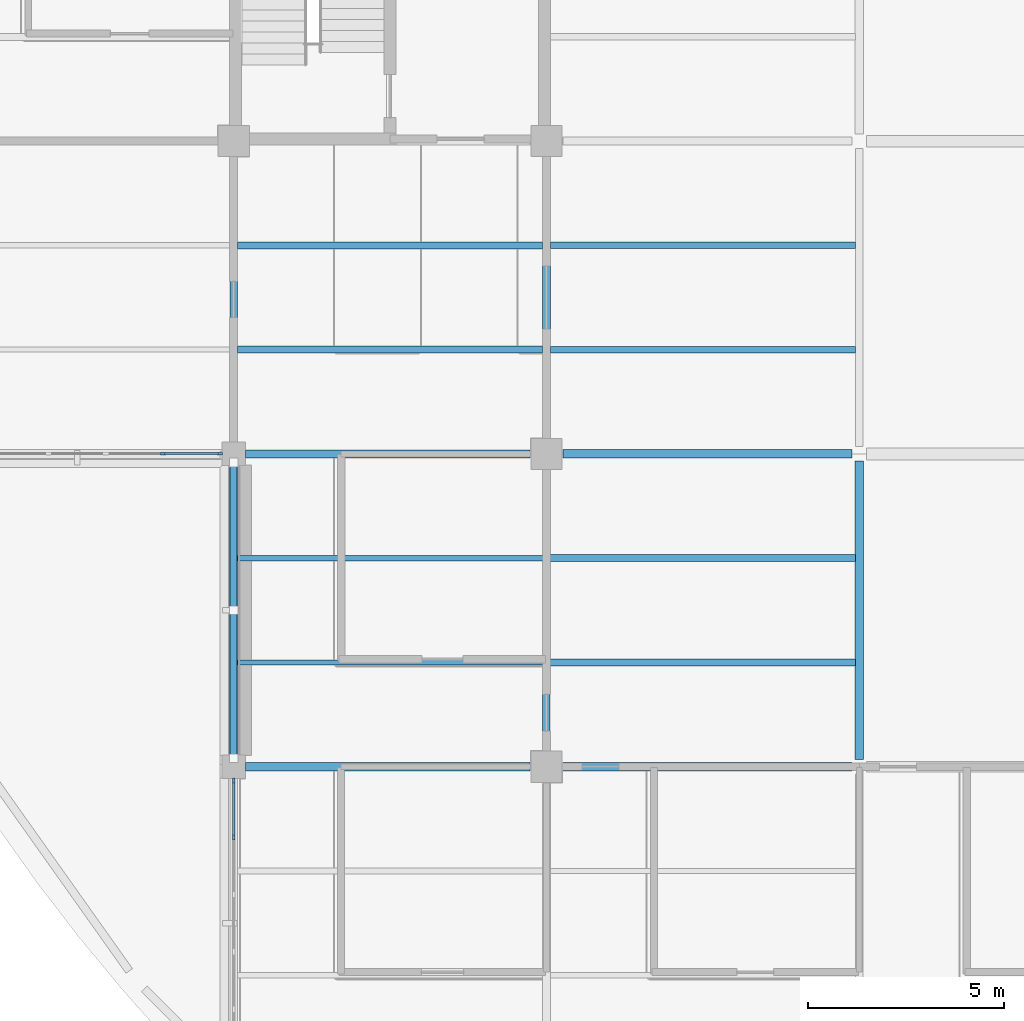
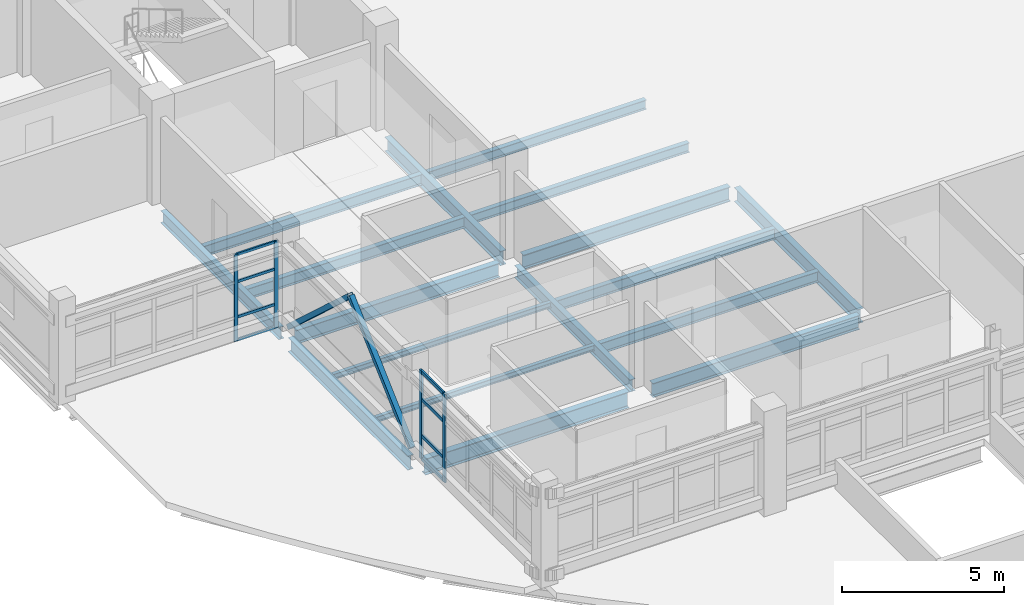
# One storey, part 26 of 126: 17 beams, 14 members, 2 elements without a shape of their own.
"""IFC4 building model written with IfcOpenShell, lengths in metres."""

import ifcopenshell
import ifcopenshell.guid

model = None  # the IFC model being written
_history = None  # IfcOwnerHistory: only IFC2X3 demands one
_inside = {}  # id of a spatial element -> (the spatial element, [elements in it])
_under = {}  # id of a project, library or spatial element -> (it, [spatial elements below it])
_declared = {}  # id of a project -> (the project, [libraries it declares])
_typed = {}  # id of a type object -> (the type object, [elements of that type])
_made_of = {}  # id of a material, layer set ... -> (it, [elements and type objects made of it])


def new_model(schema):
    """Start an empty IFC model of exactly this schema.

    Asked for "IFC4X3", IfcOpenShell would pick the latest addendum, in which some entities
    have other attributes; the version numbers below select the first issue.
    IFC2X3 requires an IfcOwnerHistory on every rooted entity: one is made here for all.
    """
    global model, _history
    if schema == "IFC4X3":
        model = ifcopenshell.file(schema_version=(4, 3, 0, 0))
    else:
        model = ifcopenshell.file(schema=schema)
    _inside.clear()
    _under.clear()
    _declared.clear()
    _typed.clear()
    _made_of.clear()
    _history = None
    if model.schema == "IFC2X3":
        org = make("IfcOrganization", Name="unknown")
        user = make(
            "IfcPersonAndOrganization",
            ThePerson=make("IfcPerson", FamilyName="unknown"),
            TheOrganization=org,
        )
        app = make(
            "IfcApplication",
            ApplicationDeveloper=org,
            Version="unknown",
            ApplicationFullName="unknown",
            ApplicationIdentifier="unknown",
        )
        _history = make(
            "IfcOwnerHistory",
            OwningUser=user,
            OwningApplication=app,
            ChangeAction="ADDED",
            CreationDate=0,
        )
    return model


def make(cls, **values):
    """One entity of the class cls with the attributes given. An attribute that is None is left unset."""
    return model.create_entity(
        cls, **{name: value for name, value in values.items() if value is not None}
    )


def rooted(cls, **values):
    """An entity with a GlobalId (a new one), such as an element, a storey or a relation."""
    return make(cls, GlobalId=ifcopenshell.guid.new(), OwnerHistory=_history, **values)


def si_unit(unit_type, name, prefix=None):
    """IfcSIUnit, for example si_unit("LENGTHUNIT", "METRE", prefix="MILLI")."""
    return make("IfcSIUnit", UnitType=unit_type, Prefix=prefix, Name=name)


def derived_unit(unit_type, elements):
    """IfcDerivedUnit: a product of units, each with its exponent."""
    return make(
        "IfcDerivedUnit",
        Elements=[
            make("IfcDerivedUnitElement", Unit=unit, Exponent=power)
            for unit, power in elements
        ],
        UnitType=unit_type,
    )


def assignment(units):
    """IfcUnitAssignment: the units of a project."""
    return None if units is None else make("IfcUnitAssignment", Units=units)


def point(xyz):
    """IfcCartesianPoint."""
    return None if xyz is None else make("IfcCartesianPoint", Coordinates=xyz)


def direction(xyz):
    """IfcDirection."""
    return None if xyz is None else make("IfcDirection", DirectionRatios=xyz)


def frame(location, z_axis=None, x_axis=None):
    """IfcAxis2Placement3D, a coordinate frame: its origin and axes. An axis left out is left unset."""
    return make(
        "IfcAxis2Placement3D",
        Location=point(location),
        Axis=direction(z_axis),
        RefDirection=direction(x_axis),
    )


def frame_2d(location, x_axis=None):
    """IfcAxis2Placement2D, a coordinate frame in the plane: its origin and x axis."""
    return make(
        "IfcAxis2Placement2D", Location=point(location), RefDirection=direction(x_axis)
    )


def origin():
    """The frame at (0, 0, 0) with its axes left unset."""
    return frame((0.0, 0.0, 0.0))


def origin_2d():
    """The frame at (0, 0) in the plane with its x axis left unset."""
    return frame_2d((0.0, 0.0))


def place(relative_to, where):
    """IfcLocalPlacement: puts the frame where relative to a parent placement (None: the world)."""
    return make(
        "IfcLocalPlacement", PlacementRelTo=relative_to, RelativePlacement=where
    )


def context(
    kind, dimensions, precision=None, world=None, true_north=None, identifier=None
):
    """IfcGeometricRepresentationContext, for example the 3D "Model" context."""
    return make(
        "IfcGeometricRepresentationContext",
        ContextIdentifier=identifier,
        ContextType=kind,
        CoordinateSpaceDimension=dimensions,
        Precision=precision,
        WorldCoordinateSystem=world,
        TrueNorth=true_north,
    )


def subcontext(parent, identifier, kind, view, scale=None):
    """IfcGeometricRepresentationSubContext, for example "Body" below "Model"."""
    return make(
        "IfcGeometricRepresentationSubContext",
        ContextIdentifier=identifier,
        ContextType=kind,
        ParentContext=parent,
        TargetScale=scale,
        TargetView=view,
    )


def project(units=None, contexts=None):
    """IfcProject with its units and contexts."""
    return rooted(
        "IfcProject",
        Name="project",
        RepresentationContexts=contexts,
        UnitsInContext=assignment(units),
    )


def spatial(cls, under=None, at=None, **own):
    """A site, building, storey or space (cls), placed at a placement, below another one or the project."""
    s = rooted(cls, ObjectPlacement=at, **own)
    if under is not None:
        _under.setdefault(under.id(), (under, []))[1].append(s)
    return s


def profile(cls, at=None, kind="AREA", **sizes):
    """A parametric profile (cls). Its sizes go by their IFC names, for example OverallWidth=200.0."""
    return make(cls, ProfileType=kind, Position=at, **sizes)


def rectangle(**sizes):
    """IfcRectangleProfileDef."""
    return profile("IfcRectangleProfileDef", **sizes)


def hollow_rectangle(**sizes):
    """IfcRectangleHollowProfileDef."""
    return profile("IfcRectangleHollowProfileDef", **sizes)


def i_section(**sizes):
    """IfcIShapeProfileDef."""
    return profile("IfcIShapeProfileDef", **sizes)


def extrude(swept, where, along, depth):
    """IfcExtrudedAreaSolid: the profile swept, set in the frame where, extruded along a direction by depth."""
    return make(
        "IfcExtrudedAreaSolid",
        SweptArea=swept,
        Position=where,
        ExtrudedDirection=direction(along),
        Depth=depth,
    )


def shape(context_of_items, identifier, shape_type, items):
    """IfcShapeRepresentation: the items that make up one representation, for example the "Body"."""
    return make(
        "IfcShapeRepresentation",
        ContextOfItems=context_of_items,
        RepresentationIdentifier=identifier,
        RepresentationType=shape_type,
        Items=items,
    )


def material(Name=None, Category=None):
    """IfcMaterial."""
    return make("IfcMaterial", Name=Name, Category=Category)


def layer(
    of_material, thickness, ventilated=None, Name=None, Category=None, Priority=None
):
    """IfcMaterialLayer: one layer of a wall or slab, of a material (None: an air gap)."""
    return make(
        "IfcMaterialLayer",
        Material=of_material,
        LayerThickness=thickness,
        IsVentilated=ventilated,
        Name=Name,
        Category=Category,
        Priority=Priority,
    )


def layer_set(layers, Name=None):
    """IfcMaterialLayerSet."""
    return make("IfcMaterialLayerSet", MaterialLayers=layers, LayerSetName=Name)


def material_profile(
    of_material, cross_section, Name=None, Category=None, Priority=None
):
    """IfcMaterialProfile: a cross section and its material."""
    return make(
        "IfcMaterialProfile",
        Name=Name,
        Material=of_material,
        Profile=cross_section,
        Priority=Priority,
        Category=Category,
    )


def profile_set(profiles, Name=None, composite=None):
    """IfcMaterialProfileSet."""
    return make(
        "IfcMaterialProfileSet",
        Name=Name,
        MaterialProfiles=profiles,
        CompositeProfile=composite,
    )


def made_of(thing, what):
    """Note that an element or type object is made of a material, layer set ...; save() writes the relation."""
    if what is not None:
        _made_of.setdefault(what.id(), (what, []))[1].append(thing)
    return thing


def type_object(cls, material=None, **own):
    """A type object (cls), such as IfcWallType, which elements share."""
    return made_of(rooted(cls, **own), material)


def element(
    cls,
    number,
    at=None,
    inside=None,
    cuts=None,
    type_object=None,
    material=None,
    context=None,
    identifier="Body",
    shape_type=None,
    held_by="IfcProductDefinitionShape",
    body=None,
    shapes=None,
    **own,
):
    """One element of the class cls, such as IfcWall. Its Tag is "e" and its number.

    at: its placement. inside: the storey or other place that contains it. cuts: it is an
    opening in that element (IfcRelVoidsElement). A single representation is given by context,
    identifier, shape_type and body (its items); several are given by shapes. held_by: the class
    of the entity that holds the representations. save() writes the other relations.
    """
    e = rooted(cls, Tag="e%d" % number, ObjectPlacement=at, **own)
    if body is not None:
        shapes = [shape(context, identifier, shape_type, body)]
    if shapes is not None:
        e.Representation = make(held_by, Representations=shapes)
    if inside is not None:
        _inside.setdefault(inside.id(), (inside, []))[1].append(e)
    if cuts is not None:
        rooted(
            "IfcRelVoidsElement", RelatingBuildingElement=cuts, RelatedOpeningElement=e
        )
    if type_object is not None:
        _typed.setdefault(type_object.id(), (type_object, []))[1].append(e)
    return made_of(e, material)


def aggregate(whole, parts):
    """IfcRelAggregates: a whole, such as a stair, and the parts it consists of."""
    return rooted("IfcRelAggregates", RelatingObject=whole, RelatedObjects=parts)


def save(model, path):
    """Write the relations noted so far, then the file.

    IfcRelAggregates (storeys below a building ...), IfcRelContainedInSpatialStructure (elements
    in a storey), IfcRelDefinesByType, IfcRelAssociatesMaterial and IfcRelDeclares: one each for
    every whole, place, type object, material and project.
    """
    for whole, parts in _under.values():
        aggregate(whole, parts)
    for where, things in _inside.values():
        rooted(
            "IfcRelContainedInSpatialStructure",
            RelatedElements=things,
            RelatingStructure=where,
        )
    for kind, things in _typed.values():
        rooted("IfcRelDefinesByType", RelatedObjects=things, RelatingType=kind)
    for what, things in _made_of.values():
        rooted("IfcRelAssociatesMaterial", RelatedObjects=things, RelatingMaterial=what)
    for by, libraries in _declared.values():
        rooted("IfcRelDeclares", RelatingContext=by, RelatedDefinitions=libraries)
    model.write(path)


model = new_model("IFC4")

# Units and contexts
model_context = context("Model", 3, precision=1e-05, world=origin(), true_north=direction((0.0, 1.0)))
body_context = subcontext(model_context, "Body", "Model", "MODEL_VIEW")
ifc_project = project(units=[si_unit("LENGTHUNIT", "METRE"), si_unit("AREAUNIT", "SQUARE_METRE"), si_unit("VOLUMEUNIT", "CUBIC_METRE"), si_unit("PLANEANGLEUNIT", "RADIAN"), si_unit("MASSUNIT", "GRAM", prefix="KILO"), derived_unit("THERMALTRANSMITTANCEUNIT", [(si_unit("MASSUNIT", "GRAM", prefix="KILO"), 1), (si_unit("TIMEUNIT", "SECOND"), -3), (si_unit("THERMODYNAMICTEMPERATUREUNIT", "KELVIN"), -1)])], contexts=[model_context])

# Site, building, storey
site_placement = place(None, origin())
site = spatial("IfcSite", under=ifc_project, at=site_placement, CompositionType="ELEMENT")
building_placement = place(site_placement, origin())
building = spatial("IfcBuilding", under=site, at=building_placement, Name="Veyamyaing Civic Hall", CompositionType="ELEMENT")
storey_placement = place(building_placement, frame((0.0, 0.0, 9.89990234375)))
storey = spatial("IfcBuildingStorey", under=building, at=storey_placement, Name="L02", CompositionType="ELEMENT", Elevation=9.89990234375)

# Beams
ifc_material_1 = material(Name="Steel ASTM A992", Category="steel")
ifc_material_profile_1 = material_profile(ifc_material_1, i_section(OverallWidth=0.22802734375, OverallDepth=0.60791015625, WebThickness=0.01123046875, FlangeThickness=0.017333984375, FilletRadius=0.012939453125, at=origin_2d()), Name="W610X113")
ifc_profile_set_1 = profile_set([ifc_material_profile_1], Name="Steel ASTM A992")
beam_type_1 = type_object("IfcBeamType", Name="B-06", PredefinedType="BEAM", material=ifc_profile_set_1)
beam_1_placement = place(storey_placement, frame((64.300048828125, 32.0, -0.5888671875), z_axis=(1.0, 0.0, 0.0), x_axis=(0.0, 1.0, 0.0)))
element("IfcBeam", 1, at=beam_1_placement, inside=storey, type_object=beam_type_1, Name="Girder B-06 L02 Grid E 9-10", PredefinedType="BEAM", context=body_context, shape_type="SweptSolid", body=[
    extrude(i_section(OverallWidth=0.22802734375, OverallDepth=0.60791015625, WebThickness=0.01123046875, FlangeThickness=0.017333984375, FilletRadius=0.012939453125, at=origin_2d()), origin(), (0.0, 0.0, 1.0), 7.27490234375),
])
ifc_material_profile_2 = material_profile(ifc_material_1, i_section(OverallWidth=0.208984375, OverallDepth=0.532958984375, WebThickness=0.01025390625, FlangeThickness=0.015625, FilletRadius=0.011962890625, at=origin_2d()), Name="W530X92")
ifc_profile_set_2 = profile_set([ifc_material_profile_2], Name="Steel ASTM A992")
beam_type_2 = type_object("IfcBeamType", Name="B-07", PredefinedType="BEAM", material=ifc_profile_set_2)
beam_2_placement = place(storey_placement, frame((72.425048828125, 32.0, -0.551513671875), z_axis=(1.0, 0.0, 0.0), x_axis=(0.0, 1.0, 0.0)))
element("IfcBeam", 2, at=beam_2_placement, inside=storey, type_object=beam_type_2, Name="Girder B-07 L02 Grid E 10-11", PredefinedType="BEAM", context=body_context, shape_type="SweptSolid", body=[
    extrude(i_section(OverallWidth=0.208984375, OverallDepth=0.532958984375, WebThickness=0.01025390625, FlangeThickness=0.015625, FilletRadius=0.011962890625, at=origin_2d()), origin(), (0.0, 0.0, 1.0), 7.387939453125),
])
beam_3_placement = place(storey_placement, frame((64.300048828125, 40.0, -0.551513671875), z_axis=(1.0, 0.0, 0.0), x_axis=(0.0, 1.0, 0.0)))
element("IfcBeam", 3, at=beam_3_placement, inside=storey, type_object=beam_type_2, Name="Girder B-07 L02 Grid F 9-10", PredefinedType="BEAM", context=body_context, shape_type="SweptSolid", body=[
    extrude(i_section(OverallWidth=0.208984375, OverallDepth=0.532958984375, WebThickness=0.01025390625, FlangeThickness=0.015625, FilletRadius=0.011962890625, at=origin_2d()), origin(), (0.0, 0.0, 1.0), 7.27490234375),
])
beam_4_placement = place(storey_placement, frame((64.0, 32.300048828125, -0.551513671875), z_axis=(0.0, 1.0, 0.0), x_axis=(-1.0, 0.0, 0.0)))
element("IfcBeam", 4, at=beam_4_placement, inside=storey, type_object=beam_type_2, Name="Girder B-07 L02 Grid 9 E-F", PredefinedType="BEAM", context=body_context, shape_type="SweptSolid", body=[
    extrude(i_section(OverallWidth=0.208984375, OverallDepth=0.532958984375, WebThickness=0.01025390625, FlangeThickness=0.015625, FilletRadius=0.011962890625, at=origin_2d()), origin(), (0.0, 0.0, 1.0), 7.39990234375),
])
ifc_material_profile_3 = material_profile(ifc_material_1, i_section(OverallWidth=0.19189453125, OverallDepth=0.462890625, WebThickness=0.010498046875, FlangeThickness=0.017578125, FilletRadius=0.010009765625, at=origin_2d()), Name="W460X89")
ifc_profile_set_3 = profile_set([ifc_material_profile_3], Name="Steel ASTM A992")
beam_type_3 = type_object("IfcBeamType", Name="B-08", PredefinedType="BEAM", material=ifc_profile_set_3)
beam_5_placement = place(storey_placement, frame((64.0, 40.300048828125, -0.516357421875), z_axis=(0.0, 1.0, 0.0), x_axis=(-1.0, 0.0, 0.0)))
element("IfcBeam", 5, at=beam_5_placement, inside=storey, type_object=beam_type_3, Name="Girder B-08 L02 Grid 9 F-G", PredefinedType="BEAM", context=body_context, shape_type="SweptSolid", body=[
    extrude(i_section(OverallWidth=0.19189453125, OverallDepth=0.462890625, WebThickness=0.010498046875, FlangeThickness=0.017578125, FilletRadius=0.010009765625, at=origin_2d()), origin(), (0.0, 0.0, 1.0), 7.300048828125),
])
beam_6_placement = place(storey_placement, frame((72.0, 32.425048828125, -0.516357421875), z_axis=(0.0, 1.0, 0.0), x_axis=(-1.0, 0.0, 0.0)))
element("IfcBeam", 6, at=beam_6_placement, inside=storey, type_object=beam_type_3, Name="Girder B-08 L02 Grid 10 E-F", PredefinedType="BEAM", context=body_context, shape_type="SweptSolid", body=[
    extrude(i_section(OverallWidth=0.19189453125, OverallDepth=0.462890625, WebThickness=0.010498046875, FlangeThickness=0.017578125, FilletRadius=0.010009765625, at=origin_2d()), origin(), (0.0, 0.0, 1.0), 7.14990234375),
])
ifc_material_profile_4 = material_profile(ifc_material_1, i_section(OverallWidth=0.214111328125, OverallDepth=0.549072265625, WebThickness=0.0146484375, FlangeThickness=0.023681640625, FilletRadius=0.011962890625, at=origin_2d()), Name="W530X138")
ifc_profile_set_4 = profile_set([ifc_material_profile_4], Name="Steel ASTM A992")
beam_type_4 = type_object("IfcBeamType", Name="B-16", PredefinedType="BEAM", material=ifc_profile_set_4)
beam_7_placement = place(storey_placement, frame((72.425048828125, 40.0, -0.559326171875), z_axis=(1.0, 0.0, 0.0), x_axis=(0.0, 1.0, 0.0)))
element("IfcBeam", 7, at=beam_7_placement, inside=storey, type_object=beam_type_4, Name="Girder B-16 L02 Grid F 10-11", PredefinedType="BEAM", context=body_context, shape_type="SweptSolid", body=[
    extrude(i_section(OverallWidth=0.214111328125, OverallDepth=0.549072265625, WebThickness=0.0146484375, FlangeThickness=0.023681640625, FilletRadius=0.011962890625, at=origin_2d()), origin(), (0.0, 0.0, 1.0), 7.387939453125),
])
ifc_material_profile_5 = material_profile(ifc_material_1, i_section(OverallWidth=0.2109375, OverallDepth=0.5390625, WebThickness=0.01171875, FlangeThickness=0.018798828125, FilletRadius=0.011962890625, at=origin_2d()), Name="W530X109")
ifc_profile_set_5 = profile_set([ifc_material_profile_5], Name="Steel ASTM A992")
beam_type_5 = type_object("IfcBeamType", Name="B-17", PredefinedType="BEAM", material=ifc_profile_set_5)
beam_8_placement = place(storey_placement, frame((72.0, 40.425048828125, -0.554443359375), z_axis=(0.0, 1.0, 0.0), x_axis=(-1.0, 0.0, 0.0)))
element("IfcBeam", 8, at=beam_8_placement, inside=storey, type_object=beam_type_5, Name="Girder B-17 L02 Grid 10 F-G", PredefinedType="BEAM", context=body_context, shape_type="SweptSolid", body=[
    extrude(i_section(OverallWidth=0.2109375, OverallDepth=0.5390625, WebThickness=0.01171875, FlangeThickness=0.018798828125, FilletRadius=0.011962890625, at=origin_2d()), origin(), (0.0, 0.0, 1.0), 7.14990234375),
])
beam_9_placement = place(storey_placement, frame((80.0, 32.18603515625, -0.554443359375), z_axis=(0.0, 1.0, 0.0), x_axis=(-1.0, 0.0, 0.0)))
element("IfcBeam", 9, at=beam_9_placement, inside=storey, type_object=beam_type_5, Name="Girder B-17 L02 Grid 11 E-F", PredefinedType="BEAM", context=body_context, shape_type="SweptSolid", body=[
    extrude(i_section(OverallWidth=0.2109375, OverallDepth=0.5390625, WebThickness=0.01171875, FlangeThickness=0.018798828125, FilletRadius=0.011962890625, at=origin_2d()), origin(), (0.0, 0.0, 1.0), 7.6279296875),
])

# Members
ifc_material_2 = material(Name="Steel S355J2", Category="steel")
ifc_material_profile_6 = material_profile(ifc_material_2, hollow_rectangle(XDim=0.177978515625, YDim=0.177978515625, WallThickness=0.009521484375, at=origin_2d()), Name="HSS178X178X9.5")
ifc_profile_set_6 = profile_set([ifc_material_profile_6], Name="Steel S355J2")
member_type_1 = type_object("IfcMemberType", Name="BR-04", PredefinedType="BRACE", material=ifc_profile_set_6)
for number, where, z_axis, x_axis, name in (
    (10, (64.0, 32.219970703125, 0.050048828125), (0.0, 0.737646368513, 0.675187259224), (-1.0, 0.0, 0.0), "Seismic chevron brace BR-04 BF-CW L02.L"),
    (11, (64.0, 39.780029296875, 0.050048828125), (0.0, -0.737646368513, 0.675187259224), (1.0, 0.0, 0.0), "Seismic chevron brace BR-04 BF-CW L02.R"),
):
    element("IfcMember", number, at=place(storey_placement, frame(where, z_axis=z_axis, x_axis=x_axis)), inside=storey, type_object=member_type_1, Name=name, PredefinedType="BRACE", context=body_context, shape_type="SweptSolid", body=[
        extrude(hollow_rectangle(XDim=0.177978515625, YDim=0.177978515625, WallThickness=0.009521484375, at=origin_2d()), origin(), (0.0, 0.0, 1.0), 5.12451171875),
    ])

# Curtain wall, members
ifc_material_3 = material(Name="Anodised aluminium 6063-T6", Category="aluminium")
ifc_layer_1 = layer(ifc_material_3, 0.159912109375, Name="Anodised aluminium 6063-T6")
ifc_layer_set_1 = layer_set([ifc_layer_1], Name="Anodised aluminium 6063-T6")
curtain_wall_type_1 = type_object("IfcCurtainWallType", Name="CW-03", PredefinedType="NOTDEFINED", material=ifc_layer_set_1)
curtain_wall_1_placement = place(storey_placement, origin())
curtain_wall_1 = element("IfcCurtainWall", 12, at=curtain_wall_1_placement, inside=storey, type_object=curtain_wall_type_1, Name="Unitized curtain wall CW-03 L02 W 9.4", PredefinedType="NOTDEFINED")
ifc_material_profile_7 = material_profile(ifc_material_3, rectangle(XDim=0.06494140625, YDim=0.159912109375, at=origin_2d()), Name="ALU-MUL-65X160")
ifc_profile_set_7 = profile_set([ifc_material_profile_7], Name="Anodised aluminium 6063-T6")
member_type_2 = type_object("IfcMemberType", Name="CWM-01", PredefinedType="MULLION", material=ifc_profile_set_7)
member_1_placement = place(storey_placement, frame((64.0, 30.201904296875, 0.0), z_axis=(0.0, 0.0, 1.0), x_axis=(-1.0, 0.0, 0.0)))
member_1 = element("IfcMember", 13, at=member_1_placement, type_object=member_type_2, Name="CW-03 mullion 5", PredefinedType="MULLION", context=body_context, shape_type="SweptSolid", body=[
    extrude(rectangle(XDim=0.06494140625, YDim=0.159912109375, at=origin_2d()), origin(), (0.0, 0.0, 1.0), 3.343994140625),
])
member_2_placement = place(storey_placement, frame((64.0, 31.637451171875, 0.0), z_axis=(0.0, 0.0, 1.0), x_axis=(-1.0, 0.0, 0.0)))
member_2 = element("IfcMember", 14, at=member_2_placement, type_object=member_type_2, Name="CW-03 mullion 6", PredefinedType="MULLION", context=body_context, shape_type="SweptSolid", body=[
    extrude(rectangle(XDim=0.06494140625, YDim=0.159912109375, at=origin_2d()), origin(), (0.0, 0.0, 1.0), 3.343994140625),
])

ifc_layer_2 = layer(ifc_material_3, 0.139892578125, Name="Anodised aluminium 6063-T6")
ifc_layer_set_2 = layer_set([ifc_layer_2], Name="Anodised aluminium 6063-T6")
curtain_wall_type_2 = type_object("IfcCurtainWallType", Name="CW-04", PredefinedType="NOTDEFINED", material=ifc_layer_set_2)
curtain_wall_2_placement = place(storey_placement, origin())
curtain_wall_2 = element("IfcCurtainWall", 15, at=curtain_wall_2_placement, inside=storey, type_object=curtain_wall_type_2, Name="Unitized curtain wall CW-04 L02 S 8.6", PredefinedType="NOTDEFINED")
ifc_material_profile_8 = material_profile(ifc_material_3, rectangle(XDim=0.06005859375, YDim=0.139892578125, at=origin_2d()), Name="ALU-MUL-60X140")
ifc_profile_set_8 = profile_set([ifc_material_profile_8], Name="Anodised aluminium 6063-T6")
member_type_3 = type_object("IfcMemberType", Name="CWM-03", PredefinedType="MULLION", material=ifc_profile_set_8)
member_3_placement = place(storey_placement, frame((62.201904296875, 40.0, 0.0), z_axis=(0.0, 0.0, 1.0), x_axis=(0.0, 1.0, 0.0)))
member_3 = element("IfcMember", 16, at=member_3_placement, type_object=member_type_3, Name="CW-04 mullion 5", PredefinedType="MULLION", context=body_context, shape_type="SweptSolid", body=[
    extrude(rectangle(XDim=0.06005859375, YDim=0.139892578125, at=origin_2d()), origin(), (0.0, 0.0, 1.0), 3.2841796875),
])
member_4_placement = place(storey_placement, frame((63.639892578125, 40.0, 0.0), z_axis=(0.0, 0.0, 1.0), x_axis=(0.0, 1.0, 0.0)))
member_4 = element("IfcMember", 17, at=member_4_placement, type_object=member_type_3, Name="CW-04 mullion 6", PredefinedType="MULLION", context=body_context, shape_type="SweptSolid", body=[
    extrude(rectangle(XDim=0.06005859375, YDim=0.139892578125, at=origin_2d()), origin(), (0.0, 0.0, 1.0), 3.2841796875),
])

# Member
ifc_material_profile_9 = material_profile(ifc_material_3, rectangle(XDim=0.06494140625, YDim=0.1201171875, at=origin_2d()), Name="ALU-TRN-65X120")
ifc_profile_set_9 = profile_set([ifc_material_profile_9], Name="Anodised aluminium 6063-T6")
member_type_4 = type_object("IfcMemberType", Name="CWT-01", PredefinedType="USERDEFINED", material=ifc_profile_set_9)
member_5_placement = place(storey_placement, frame((64.0, 30.234619140625, 0.03271484375), z_axis=(0.0, 1.0, 0.0), x_axis=(-1.0, 0.0, 0.0)))
member_5 = element("IfcMember", 18, at=member_5_placement, type_object=member_type_4, Name="CW-03 transom 5.1", ObjectType="TRANSOM", PredefinedType="USERDEFINED", context=body_context, shape_type="SweptSolid", body=[
    extrude(rectangle(XDim=0.06494140625, YDim=0.1201171875, at=origin_2d()), origin(), (0.0, 0.0, 1.0), 1.370361328125),
])

member_6_placement = place(storey_placement, frame((64.0, 30.234619140625, 0.900146484375), z_axis=(0.0, 1.0, 0.0), x_axis=(-1.0, 0.0, 0.0)))
member_6 = element("IfcMember", 19, at=member_6_placement, type_object=member_type_4, Name="CW-03 transom 5.2", ObjectType="TRANSOM", PredefinedType="USERDEFINED", context=body_context, shape_type="SweptSolid", body=[
    extrude(rectangle(XDim=0.06494140625, YDim=0.1201171875, at=origin_2d()), origin(), (0.0, 0.0, 1.0), 1.370361328125),
])

member_7_placement = place(storey_placement, frame((64.0, 30.234619140625, 2.27392578125), z_axis=(0.0, 1.0, 0.0), x_axis=(-1.0, 0.0, 0.0)))
member_7 = element("IfcMember", 20, at=member_7_placement, type_object=member_type_4, Name="CW-03 transom 5.3", ObjectType="TRANSOM", PredefinedType="USERDEFINED", context=body_context, shape_type="SweptSolid", body=[
    extrude(rectangle(XDim=0.06494140625, YDim=0.1201171875, at=origin_2d()), origin(), (0.0, 0.0, 1.0), 1.370361328125),
])

member_8_placement = place(storey_placement, frame((64.0, 30.234619140625, 3.3115234375), z_axis=(0.0, 1.0, 0.0), x_axis=(-1.0, 0.0, 0.0)))
member_8 = element("IfcMember", 21, at=member_8_placement, type_object=member_type_4, Name="CW-03 transom 5.4", ObjectType="TRANSOM", PredefinedType="USERDEFINED", context=body_context, shape_type="SweptSolid", body=[
    extrude(rectangle(XDim=0.06494140625, YDim=0.1201171875, at=origin_2d()), origin(), (0.0, 0.0, 1.0), 1.370361328125),
])

aggregate(curtain_wall_1, [member_1, member_2, member_5, member_6, member_7, member_8])

ifc_material_profile_10 = material_profile(ifc_material_3, rectangle(XDim=0.06005859375, YDim=0.10009765625, at=origin_2d()), Name="ALU-TRN-60X100")
ifc_profile_set_10 = profile_set([ifc_material_profile_10], Name="Anodised aluminium 6063-T6")
member_type_5 = type_object("IfcMemberType", Name="CWT-03", PredefinedType="USERDEFINED", material=ifc_profile_set_10)
member_9_placement = place(storey_placement, frame((62.23193359375, 40.0, 0.030029296875), z_axis=(1.0, 0.0, 0.0), x_axis=(0.0, 1.0, 0.0)))
member_9 = element("IfcMember", 22, at=member_9_placement, type_object=member_type_5, Name="CW-04 transom 5.1", ObjectType="TRANSOM", PredefinedType="USERDEFINED", context=body_context, shape_type="SweptSolid", body=[
    extrude(rectangle(XDim=0.06005859375, YDim=0.10009765625, at=origin_2d()), origin(), (0.0, 0.0, 1.0), 1.378173828125),
])

member_10_placement = place(storey_placement, frame((62.23193359375, 40.0, 0.900146484375), z_axis=(1.0, 0.0, 0.0), x_axis=(0.0, 1.0, 0.0)))
member_10 = element("IfcMember", 23, at=member_10_placement, type_object=member_type_5, Name="CW-04 transom 5.2", ObjectType="TRANSOM", PredefinedType="USERDEFINED", context=body_context, shape_type="SweptSolid", body=[
    extrude(rectangle(XDim=0.06005859375, YDim=0.10009765625, at=origin_2d()), origin(), (0.0, 0.0, 1.0), 1.378173828125),
])

member_11_placement = place(storey_placement, frame((62.23193359375, 40.0, 2.233154296875), z_axis=(1.0, 0.0, 0.0), x_axis=(0.0, 1.0, 0.0)))
member_11 = element("IfcMember", 24, at=member_11_placement, type_object=member_type_5, Name="CW-04 transom 5.3", ObjectType="TRANSOM", PredefinedType="USERDEFINED", context=body_context, shape_type="SweptSolid", body=[
    extrude(rectangle(XDim=0.06005859375, YDim=0.10009765625, at=origin_2d()), origin(), (0.0, 0.0, 1.0), 1.378173828125),
])

member_12_placement = place(storey_placement, frame((62.23193359375, 40.0, 3.254150390625), z_axis=(1.0, 0.0, 0.0), x_axis=(0.0, 1.0, 0.0)))
member_12 = element("IfcMember", 25, at=member_12_placement, type_object=member_type_5, Name="CW-04 transom 5.4", ObjectType="TRANSOM", PredefinedType="USERDEFINED", context=body_context, shape_type="SweptSolid", body=[
    extrude(rectangle(XDim=0.06005859375, YDim=0.10009765625, at=origin_2d()), origin(), (0.0, 0.0, 1.0), 1.378173828125),
])

aggregate(curtain_wall_2, [member_3, member_4, member_9, member_10, member_11, member_12])

# Beams
ifc_material_profile_11 = material_profile(ifc_material_1, i_section(OverallWidth=0.177978515625, OverallDepth=0.406982421875, WebThickness=0.0078125, FlangeThickness=0.0126953125, FilletRadius=0.010009765625, at=origin_2d()), Name="W410X60")
ifc_profile_set_11 = profile_set([ifc_material_profile_11], Name="Steel ASTM A992")
beam_type_6 = type_object("IfcBeamType", Name="J-01", PredefinedType="JOIST", material=ifc_profile_set_11)
for number, where, z_axis, x_axis, name in (
    (26, (64.093994140625, 42.666748046875, -0.48828125), (1.0, 0.0, 0.0), (0.0, 1.0, 0.0), "Composite floor joist J-01 L02 9.6.1"),
    (27, (64.093994140625, 45.333251953125, -0.48828125), (1.0, 0.0, 0.0), (0.0, 1.0, 0.0), "Composite floor joist J-01 L02 9.6.2"),
    (28, (72.093994140625, 34.666748046875, -0.48828125), (1.0, 0.0, 0.0), (0.0, 1.0, 0.0), "Composite floor joist J-01 L02 10.5.1"),
    (29, (72.093994140625, 37.333251953125, -0.48828125), (1.0, 0.0, 0.0), (0.0, 1.0, 0.0), "Composite floor joist J-01 L02 10.5.2"),
):
    element("IfcBeam", number, at=place(storey_placement, frame(where, z_axis=z_axis, x_axis=x_axis)), inside=storey, type_object=beam_type_6, Name=name, PredefinedType="JOIST", context=body_context, shape_type="SweptSolid", body=[
        extrude(i_section(OverallWidth=0.177978515625, OverallDepth=0.406982421875, WebThickness=0.0078125, FlangeThickness=0.0126953125, FilletRadius=0.010009765625, at=origin_2d()), origin(), (0.0, 0.0, 1.0), 7.802490234375),
    ])
ifc_material_profile_12 = material_profile(ifc_material_1, i_section(OverallWidth=0.172119140625, OverallDepth=0.35791015625, WebThickness=0.0078125, FlangeThickness=0.01318359375, FilletRadius=0.010009765625, at=origin_2d()), Name="W360X57")
ifc_profile_set_12 = profile_set([ifc_material_profile_12], Name="Steel ASTM A992")
beam_type_7 = type_object("IfcBeamType", Name="J-02", PredefinedType="JOIST", material=ifc_profile_set_12)
for number, where, z_axis, x_axis, name in (
    (30, (72.103515625, 42.666748046875, -0.4638671875), (1.0, 0.0, 0.0), (0.0, 1.0, 0.0), "Composite floor joist J-02 L02 10.6.1"),
    (31, (72.103515625, 45.333251953125, -0.4638671875), (1.0, 0.0, 0.0), (0.0, 1.0, 0.0), "Composite floor joist J-02 L02 10.6.2"),
):
    element("IfcBeam", number, at=place(storey_placement, frame(where, z_axis=z_axis, x_axis=x_axis)), inside=storey, type_object=beam_type_7, Name=name, PredefinedType="JOIST", context=body_context, shape_type="SweptSolid", body=[
        extrude(i_section(OverallWidth=0.172119140625, OverallDepth=0.35791015625, WebThickness=0.0078125, FlangeThickness=0.01318359375, FilletRadius=0.010009765625, at=origin_2d()), origin(), (0.0, 0.0, 1.0), 7.801513671875),
    ])
ifc_material_profile_13 = material_profile(ifc_material_1, i_section(OverallWidth=0.133056640625, OverallDepth=0.20703125, WebThickness=0.005859375, FlangeThickness=0.00830078125, FilletRadius=0.010009765625, at=origin_2d()), Name="W200X27")
ifc_profile_set_13 = profile_set([ifc_material_profile_13], Name="Steel ASTM A992")
beam_type_8 = type_object("IfcBeamType", Name="J-08", PredefinedType="JOIST", material=ifc_profile_set_13)
for number, where, z_axis, x_axis, name in (
    (32, (64.1025390625, 34.666748046875, -0.388427734375), (1.0, 0.0, 0.0), (0.0, 1.0, 0.0), "Composite floor joist J-08 L02 9.5.1"),
    (33, (64.1025390625, 37.333251953125, -0.388427734375), (1.0, 0.0, 0.0), (0.0, 1.0, 0.0), "Composite floor joist J-08 L02 9.5.2"),
):
    element("IfcBeam", number, at=place(storey_placement, frame(where, z_axis=z_axis, x_axis=x_axis)), inside=storey, type_object=beam_type_8, Name=name, PredefinedType="JOIST", context=body_context, shape_type="SweptSolid", body=[
        extrude(i_section(OverallWidth=0.133056640625, OverallDepth=0.20703125, WebThickness=0.005859375, FlangeThickness=0.00830078125, FilletRadius=0.010009765625, at=origin_2d()), origin(), (0.0, 0.0, 1.0), 7.803466796875),
    ])

save(model, "model.ifc")
